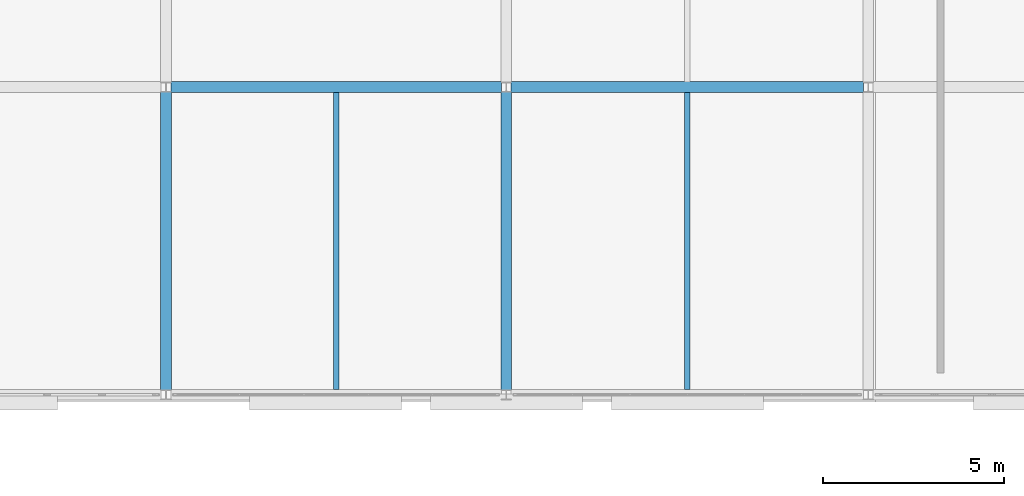
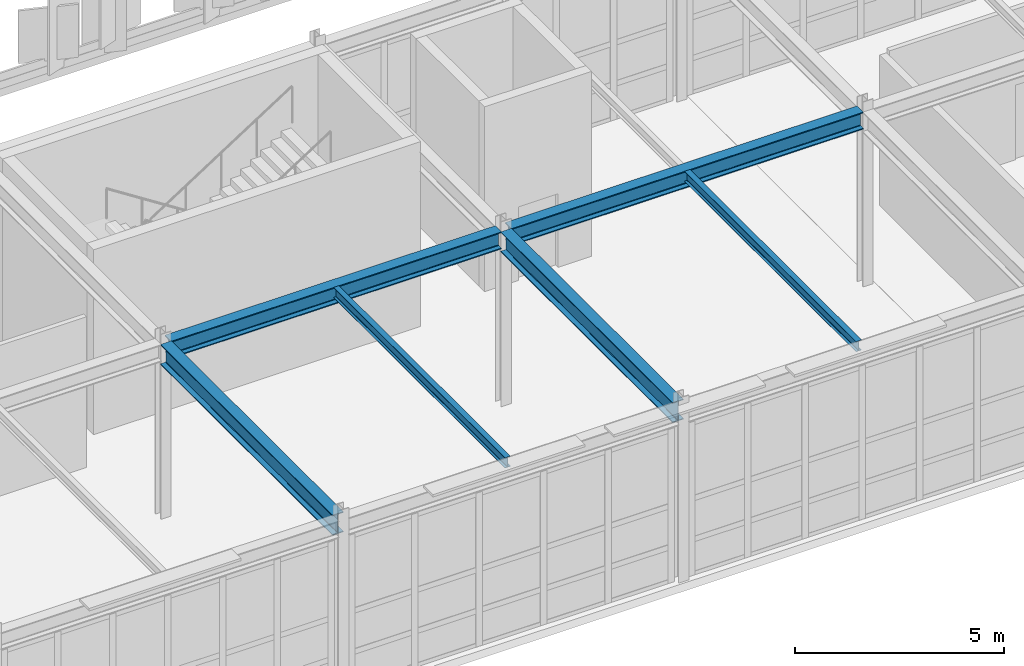
# One storey, part 142 of 239: 6 beams.
"""IFC4 building model written with IfcOpenShell, lengths in metres."""

from ifc_helpers import new_model, si_unit, direction, frame, origin, origin_2d, place, context, subcontext, project, spatial, i_section, extrude, material, material_profile, profile_set, type_object, element, save


model = new_model("IFC4")

# Units and contexts
model_context = context("Model", 3, precision=1e-05, world=origin(), true_north=direction((0.0, 1.0)))
body_context = subcontext(model_context, "Body", "Model", "MODEL_VIEW")
ifc_project = project(units=[si_unit("LENGTHUNIT", "METRE"), si_unit("AREAUNIT", "SQUARE_METRE"), si_unit("VOLUMEUNIT", "CUBIC_METRE"), si_unit("PLANEANGLEUNIT", "RADIAN"), si_unit("MASSUNIT", "GRAM", prefix="KILO")], contexts=[model_context])

# Site, building, storey
site_placement = place(None, origin())
site = spatial("IfcSite", under=ifc_project, at=site_placement, CompositionType="ELEMENT")
building_placement = place(site_placement, origin())
building = spatial("IfcBuilding", under=site, at=building_placement, Name="Kaldris Quays Convention Centre", CompositionType="ELEMENT")
storey_placement = place(building_placement, frame((0.0, 0.0, 11.39990234375)))
storey = spatial("IfcBuildingStorey", under=building, at=storey_placement, Name="L02", CompositionType="ELEMENT", Elevation=11.39990234375)

# Beams
ifc_material = material(Name="Steel S355J2", Category="steel")
ifc_material_profile_1 = material_profile(ifc_material, i_section(OverallWidth=0.300048828125, OverallDepth=0.5, WebThickness=0.014404296875, FlangeThickness=0.028076171875, FilletRadius=0.027099609375, at=origin_2d()), Name="HEB 500")
ifc_profile_set_1 = profile_set([ifc_material_profile_1], Name="Steel S355J2")
beam_type_1 = type_object("IfcBeamType", Name="STRUCTURAL BEAM BM06", PredefinedType="BEAM", material=ifc_profile_set_1)
beam_1_placement = place(storey_placement, frame((164.73388671875, 28.5, 4.863037109375), z_axis=(1.0, 0.0, 0.0), x_axis=(0.0, 1.0, 0.0)))
element("IfcBeam", 1, at=beam_1_placement, inside=storey, type_object=beam_type_1, Name="L02 Girder BM06 7", PredefinedType="BEAM", context=body_context, shape_type="SweptSolid", body=[
    extrude(i_section(OverallWidth=0.300048828125, OverallDepth=0.5, WebThickness=0.014404296875, FlangeThickness=0.028076171875, FilletRadius=0.027099609375, at=origin_2d()), origin(), (0.0, 0.0, 1.0), 9.132080078125),
])
beam_2_placement = place(storey_placement, frame((174.134033203125, 28.5, 4.863037109375), z_axis=(1.0, 0.0, 0.0), x_axis=(0.0, 1.0, 0.0)))
element("IfcBeam", 2, at=beam_2_placement, inside=storey, type_object=beam_type_1, Name="L02 Girder BM06 8", PredefinedType="BEAM", context=body_context, shape_type="SweptSolid", body=[
    extrude(i_section(OverallWidth=0.300048828125, OverallDepth=0.5, WebThickness=0.014404296875, FlangeThickness=0.028076171875, FilletRadius=0.027099609375, at=origin_2d()), origin(), (0.0, 0.0, 1.0), 9.73193359375),
])
ifc_material_profile_2 = material_profile(ifc_material, i_section(OverallWidth=0.300048828125, OverallDepth=0.590087890625, WebThickness=0.012939453125, FlangeThickness=0.02490234375, FilletRadius=0.027099609375, at=origin_2d()), Name="HEA 600")
ifc_profile_set_2 = profile_set([ifc_material_profile_2], Name="Steel S355J2")
beam_type_2 = type_object("IfcBeamType", Name="STRUCTURAL BEAM BM08", PredefinedType="BEAM", material=ifc_profile_set_2)
for number, where, z_axis, x_axis, name in (
    (3, (164.60009765625, 20.134033203125, 4.818115234375), (0.0, 1.0, 0.0), (-1.0, 0.0, 0.0), "L02 Girder BM08 18"),
    (4, (174.0, 20.134033203125, 4.818115234375), (0.0, 1.0, 0.0), (-1.0, 0.0, 0.0), "L02 Girder BM08 20"),
):
    element("IfcBeam", number, at=place(storey_placement, frame(where, z_axis=z_axis, x_axis=x_axis)), inside=storey, type_object=beam_type_2, Name=name, PredefinedType="BEAM", context=body_context, shape_type="SweptSolid", body=[
        extrude(i_section(OverallWidth=0.300048828125, OverallDepth=0.590087890625, WebThickness=0.012939453125, FlangeThickness=0.02490234375, FilletRadius=0.027099609375, at=origin_2d()), origin(), (0.0, 0.0, 1.0), 8.23193359375),
    ])
ifc_material_profile_3 = material_profile(ifc_material, i_section(OverallWidth=0.14990234375, OverallDepth=0.300048828125, WebThickness=0.007080078125, FlangeThickness=0.0107421875, FilletRadius=0.014892578125, at=origin_2d()), Name="IPE 300")
ifc_profile_set_3 = profile_set([ifc_material_profile_3], Name="Steel S355J2")
beam_type_3 = type_object("IfcBeamType", Name="STRUCTURAL BEAM JT04", PredefinedType="JOIST", material=ifc_profile_set_3)
for number, where, z_axis, x_axis, name in (
    (5, (169.300048828125, 20.14404296875, 4.963134765625), (0.0, 1.0, 0.0), (-1.0, 0.0, 0.0), "L02 Secondary Joist JT04 2"),
    (6, (179.0, 20.14404296875, 4.963134765625), (0.0, 1.0, 0.0), (-1.0, 0.0, 0.0), "L02 Secondary Joist JT04 3"),
):
    element("IfcBeam", number, at=place(storey_placement, frame(where, z_axis=z_axis, x_axis=x_axis)), inside=storey, type_object=beam_type_3, Name=name, PredefinedType="JOIST", context=body_context, shape_type="SweptSolid", body=[
        extrude(i_section(OverallWidth=0.14990234375, OverallDepth=0.300048828125, WebThickness=0.007080078125, FlangeThickness=0.0107421875, FilletRadius=0.014892578125, at=origin_2d()), origin(), (0.0, 0.0, 1.0), 8.2119140625),
    ])

save(model, "model.ifc")
